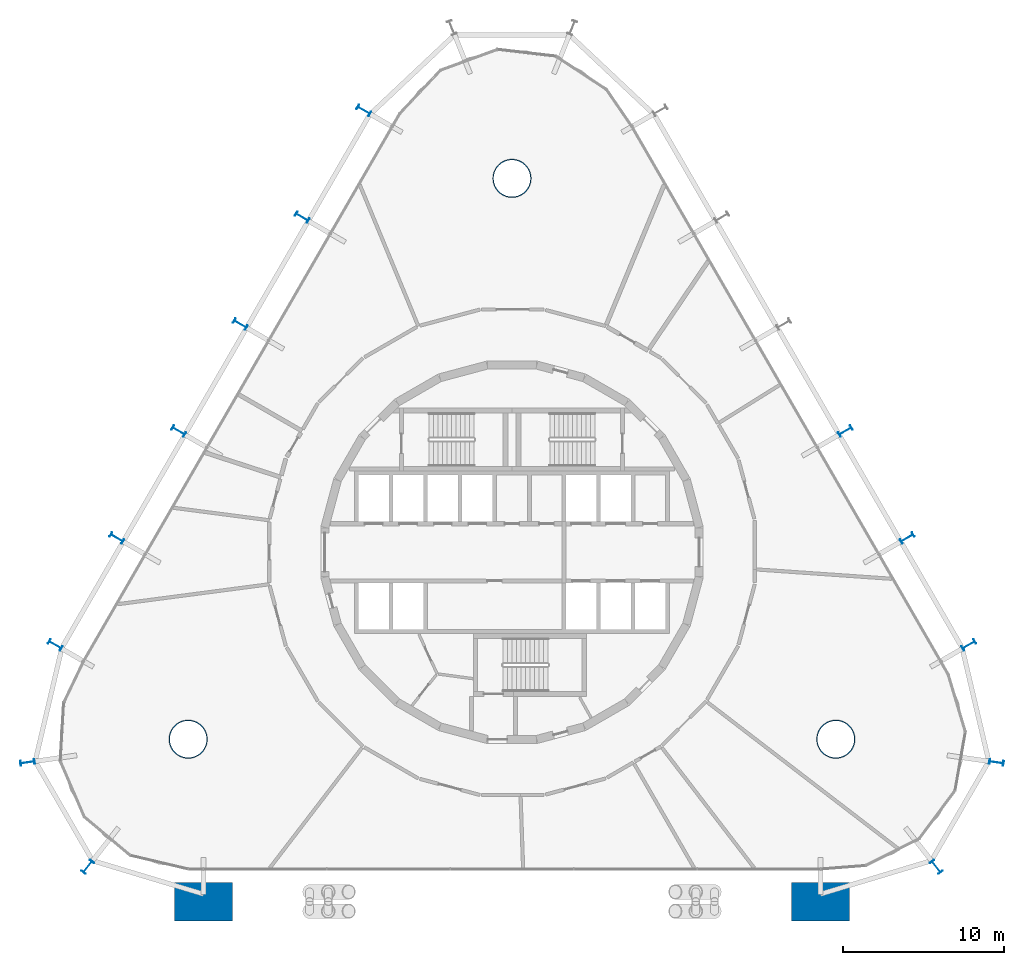
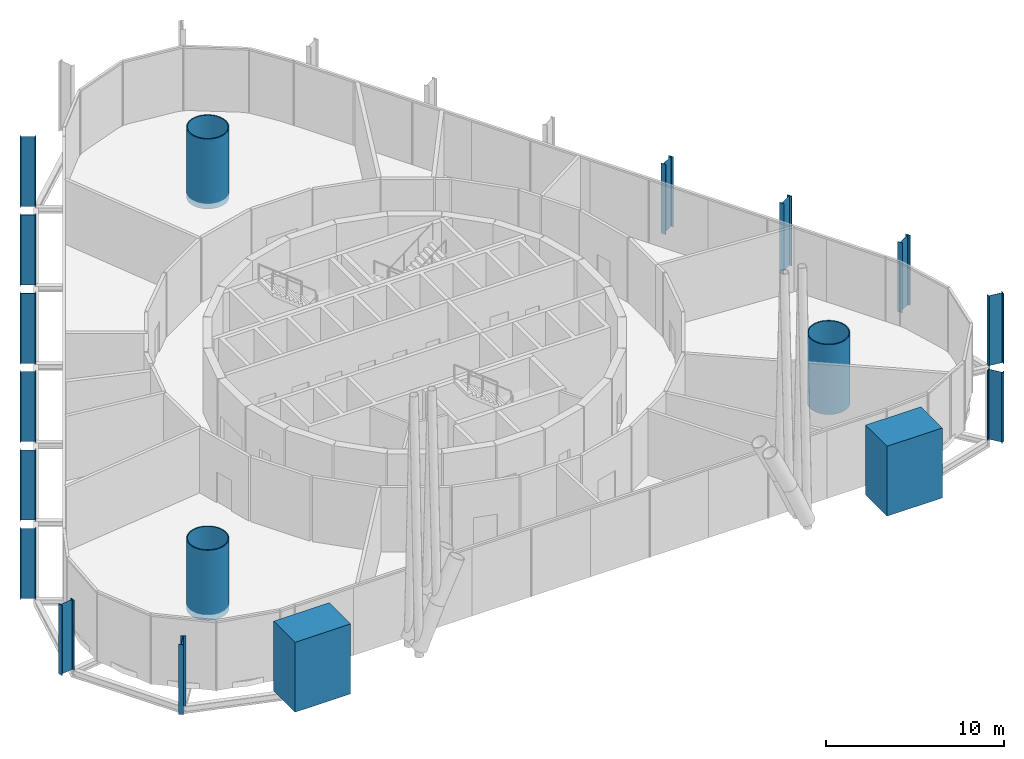
# One storey, part 1 of 17: 18 columns.
"""IFC4 building model written with IfcOpenShell, lengths in metres."""

from ifc_helpers import new_model, si_unit, direction, frame, origin, origin_2d, place, context, subcontext, project, spatial, rectangle, hollow_circle, i_section, extrude, material, material_profile, profile_set, type_object, element, save


model = new_model("IFC4")

# Units and contexts
model_context = context("Model", 3, precision=1e-05, world=origin(), true_north=direction((0.0, 1.0)))
body_context = subcontext(model_context, "Body", "Model", "MODEL_VIEW")
ifc_project = project(units=[si_unit("LENGTHUNIT", "METRE"), si_unit("AREAUNIT", "SQUARE_METRE"), si_unit("VOLUMEUNIT", "CUBIC_METRE"), si_unit("PLANEANGLEUNIT", "RADIAN"), si_unit("MASSUNIT", "GRAM", prefix="KILO")], contexts=[model_context])

# Site, building, storey
site_placement = place(None, origin())
site = spatial("IfcSite", under=ifc_project, at=site_placement, CompositionType="ELEMENT")
building_placement = place(site_placement, origin())
building = spatial("IfcBuilding", under=site, at=building_placement, Name="Spindle Arch Residences", CompositionType="ELEMENT")
storey_placement = place(building_placement, frame((0.0, 0.0, 13.800048828125)))
storey = spatial("IfcBuildingStorey", under=building, at=storey_placement, Name="L02", CompositionType="ELEMENT", Elevation=13.800048828125)

# Columns
ifc_material_1 = material(Name="Concrete C50/60", Category="concrete")
ifc_material_profile_1 = material_profile(ifc_material_1, rectangle(XDim=3.60009765625, YDim=2.39990234375, at=origin_2d()), Name="RC 3600x2400")
ifc_profile_set_1 = profile_set([ifc_material_profile_1], Name="Concrete C50/60")
column_type_1 = type_object("IfcColumnType", Name="Arcade pier RC 3600x2400", PredefinedType="COLUMN", material=ifc_profile_set_1)
for number, where, z_axis, x_axis, name in (
    (1, (-19.2001953125, -21.72998046875, -0.380126953125), (0.0, 0.0, 1.0), (1.0, 0.0, 0.0), "Arcade pier W"),
    (2, (19.2001953125, -21.72998046875, -0.380126953125), (0.0, 0.0, 1.0), (1.0, 0.0, 0.0), "Arcade pier E"),
):
    element("IfcColumn", number, at=place(storey_placement, frame(where, z_axis=z_axis, x_axis=x_axis)), inside=storey, type_object=column_type_1, Name=name, PredefinedType="COLUMN", context=body_context, shape_type="SweptSolid", body=[
        extrude(rectangle(XDim=3.60009765625, YDim=2.39990234375, at=origin_2d()), origin(), (0.0, 0.0, 1.0), 4.800048828125),
    ])
ifc_material_2 = material(Name="Steel S460ML, intumescent coating R 240", Category="steel")
ifc_material_profile_2 = material_profile(ifc_material_2, i_section(OverallWidth=0.300048828125, OverallDepth=0.89990234375, WebThickness=0.0185546875, FlangeThickness=0.034912109375, FilletRadius=0.030029296875, at=origin_2d()), Name="HEB 900")
ifc_profile_set_2 = profile_set([ifc_material_profile_2], Name="Steel S460ML, intumescent coating R 240")
column_type_2 = type_object("IfcColumnType", Name="Exoskeleton post HEB 900", PredefinedType="COLUMN", material=ifc_profile_set_2)
for number, where, z_axis, x_axis, name in (
    (3, (26.3916015625, -19.565185546875, -0.380126953125), (0.0, 0.0, 1.0), (-0.7856835335, -0.618628632693, 0.0), "Exoskeleton post 4"),
    (4, (30.139892578125, -13.0732421875, -0.380126953125), (0.0, 0.0, 1.0), (-0.142906037553, -0.989736260036, 0.0), "Exoskeleton post 5"),
    (5, (28.418701171875, -5.762939453125, -0.380126953125), (0.0, 0.0, 1.0), (0.50000017485, -0.866025302835, 0.0), "Exoskeleton post 6"),
    (6, (24.57861328125, 0.88818359375, -0.380126953125), (0.0, 0.0, 1.0), (0.50000017485, -0.866025302835, 0.0), "Exoskeleton post 7"),
    (7, (20.73876953125, 7.539306640625, -0.380126953125), (0.0, 0.0, 1.0), (0.50000017485, -0.866025302835, 0.0), "Exoskeleton post 8"),
    (8, (-9.218505859375, 27.492919921875, -0.380126953125), (0.0, 0.0, 1.0), (0.50000017485, 0.866025302835, 0.0), "Exoskeleton post 14"),
    (9, (-13.05859375, 20.841796875, -0.380126953125), (0.0, 0.0, 1.0), (0.50000017485, 0.866025302835, 0.0), "Exoskeleton post 15"),
    (10, (-16.898681640625, 14.1904296875, -0.380126953125), (0.0, 0.0, 1.0), (0.50000017485, 0.866025302835, 0.0), "Exoskeleton post 16"),
    (11, (-20.73876953125, 7.539306640625, -0.380126953125), (0.0, 0.0, 1.0), (0.50000017485, 0.866025302835, 0.0), "Exoskeleton post 17"),
    (12, (-24.57861328125, 0.88818359375, -0.380126953125), (0.0, 0.0, 1.0), (0.50000017485, 0.866025302835, 0.0), "Exoskeleton post 18"),
    (13, (-28.418701171875, -5.762939453125, -0.380126953125), (0.0, 0.0, 1.0), (0.50000017485, 0.866025302835, 0.0), "Exoskeleton post 19"),
    (14, (-30.139892578125, -13.0732421875, -0.380126953125), (0.0, 0.0, 1.0), (-0.142906037553, 0.989736260036, 0.0), "Exoskeleton post 20"),
    (15, (-26.3916015625, -19.565185546875, -0.380126953125), (0.0, 0.0, 1.0), (-0.7856835335, 0.618628632693, 0.0), "Exoskeleton post 21"),
):
    element("IfcColumn", number, at=place(storey_placement, frame(where, z_axis=z_axis, x_axis=x_axis)), inside=storey, type_object=column_type_2, Name=name, PredefinedType="COLUMN", context=body_context, shape_type="SweptSolid", body=[
        extrude(i_section(OverallWidth=0.300048828125, OverallDepth=0.89990234375, WebThickness=0.0185546875, FlangeThickness=0.034912109375, FilletRadius=0.030029296875, at=origin_2d()), origin(), (0.0, 0.0, 1.0), 4.800048828125),
    ])
ifc_material_3 = material(Name="Concrete C50/60 filled steel tube S460ML, intumescent coating R 240", Category="concrete")
ifc_material_profile_3 = material_profile(ifc_material_3, hollow_circle(Radius=1.199951171875, WallThickness=0.06005859375, at=origin_2d()), Name="CFT D2400x60")
ifc_profile_set_3 = profile_set([ifc_material_profile_3], Name="Concrete C50/60 filled steel tube S460ML, intumescent coating R 240")
column_type_3 = type_object("IfcColumnType", Name="Mega-column CFT D2400x60", PredefinedType="COLUMN", material=ifc_profile_set_3)
for number, where, z_axis, x_axis, name in (
    (16, (20.1435546875, -11.6298828125, -0.380126953125), (0.0, 0.0, 1.0), (1.0, 0.0, 0.0), "Mega-column 1"),
    (17, (0.0, 23.259765625, -0.380126953125), (0.0, 0.0, 1.0), (1.0, 0.0, 0.0), "Mega-column 2"),
    (18, (-20.1435546875, -11.6298828125, -0.380126953125), (0.0, 0.0, 1.0), (1.0, 0.0, 0.0), "Mega-column 3"),
):
    element("IfcColumn", number, at=place(storey_placement, frame(where, z_axis=z_axis, x_axis=x_axis)), inside=storey, type_object=column_type_3, Name=name, PredefinedType="COLUMN", context=body_context, shape_type="SweptSolid", body=[
        extrude(hollow_circle(Radius=1.199951171875, WallThickness=0.06005859375, at=origin_2d()), origin(), (0.0, 0.0, 1.0), 4.800048828125),
    ])

save(model, "model.ifc")
